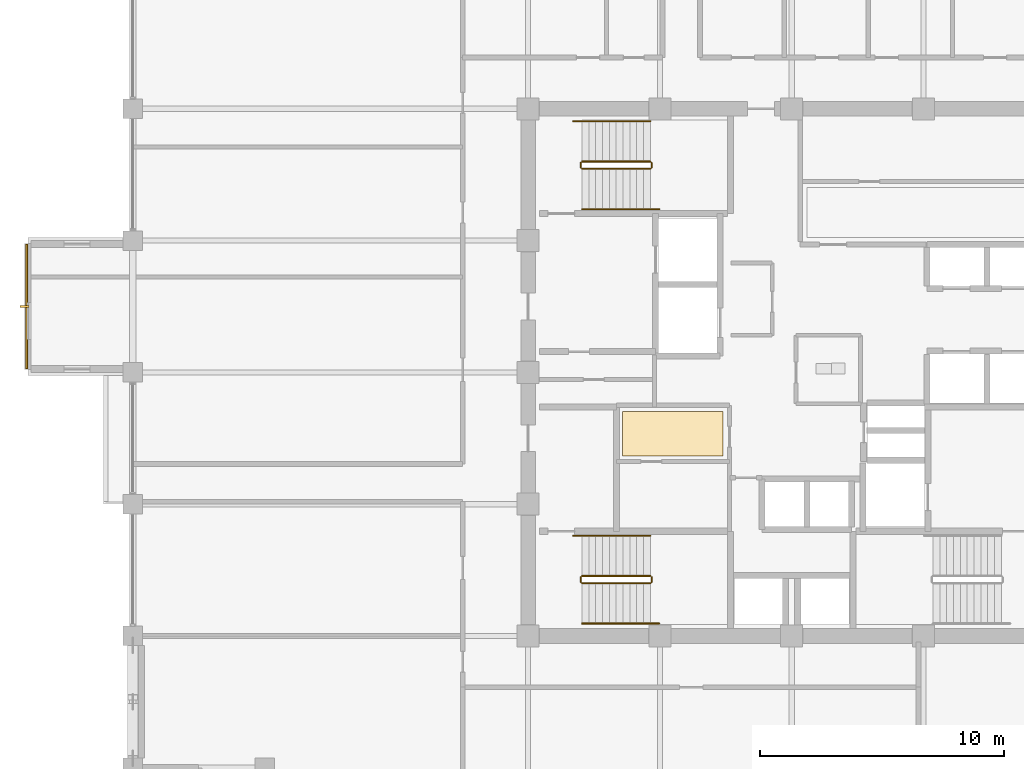
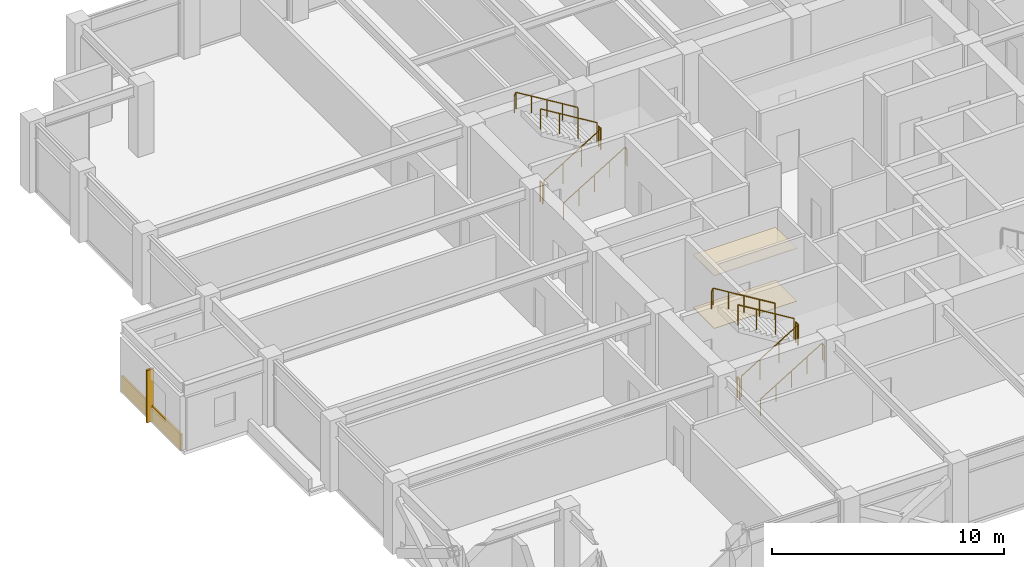
# One storey, part 26 of 28: 12 railings, 3 coverings, 1 shading device.
"""IFC4 building model written with IfcOpenShell, lengths in metres."""

from ifc_helpers import new_model, si_unit, direction, frame, origin, origin_2d, place, context, subcontext, project, spatial, polyline, rectangle, circle, outline, extrude, material, layer, layer_set, type_object, element, save


model = new_model("IFC4")

# Units and contexts
model_context = context("Model", 3, precision=1e-05, world=origin(), true_north=direction((0.0, 1.0)))
body_context = subcontext(model_context, "Body", "Model", "MODEL_VIEW")
ifc_project = project(units=[si_unit("LENGTHUNIT", "METRE"), si_unit("AREAUNIT", "SQUARE_METRE"), si_unit("VOLUMEUNIT", "CUBIC_METRE"), si_unit("PLANEANGLEUNIT", "RADIAN"), si_unit("MASSUNIT", "GRAM", prefix="KILO")], contexts=[model_context])

# Site, building, storey
site_placement = place(None, origin())
site = spatial("IfcSite", under=ifc_project, at=site_placement, CompositionType="ELEMENT")
building_placement = place(site_placement, origin())
building = spatial("IfcBuilding", under=site, at=building_placement, Name="Surkhivell Harbour Commons", CompositionType="ELEMENT")
storey_placement = place(building_placement, frame((0.0, 0.0, 238.5)))
storey = spatial("IfcBuildingStorey", under=building, at=storey_placement, Name="L62", CompositionType="ELEMENT", Elevation=238.5)

# Coverings
ifc_material_1 = material(Name="Moisture-resistant gypsum acoustic ceiling board", Category="other")
ifc_layer_1 = layer(ifc_material_1, 0.030029296875)
ifc_layer_set_1 = layer_set([ifc_layer_1], Name="Moisture-resistant gypsum acoustic ceiling board")
covering_type_1 = type_object("IfcCoveringType", Name="COV-CEIL-GYP", PredefinedType="CEILING", material=ifc_layer_set_1)
covering_1_placement = place(storey_placement, frame((0.0, 0.0, 2.77001953125)))
element("IfcCovering", 1, at=covering_1_placement, inside=storey, type_object=covering_type_1, Name="L62 Suspended Acoustic Ceiling 2", PredefinedType="CEILING", context=body_context, shape_type="SweptSolid", body=[
    extrude(outline(polyline([(-6.929931640625, -3.429931640625), (-2.820068359375, -3.429931640625), (-2.820068359375, -1.60009765625), (-6.929931640625, -1.60009765625), (-6.929931640625, -3.429931640625)])), origin(), (0.0, 0.0, 1.0), 0.030029296875),
])
ifc_material_2 = material(Name="Saffron-gold enamelled aluminium cassette panel", Category="aluminium")
ifc_layer_2 = layer(ifc_material_2, 0.070068359375)
ifc_layer_set_2 = layer_set([ifc_layer_2], Name="Saffron-gold enamelled aluminium cassette panel")
covering_type_2 = type_object("IfcCoveringType", Name="COV-CLAD-SAF", PredefinedType="CLADDING", material=ifc_layer_set_2)
covering_2_placement = place(storey_placement, frame((-31.340087890625, 2.699951171875, 0.0), z_axis=(0.0, 0.0, 1.0), x_axis=(1.0, 0.0, 0.0)))
element("IfcCovering", 2, at=covering_2_placement, inside=storey, type_object=covering_type_2, Name="L62 Coloured-Panel Box Spandrel Cassette 02", PredefinedType="CLADDING", context=body_context, shape_type="SweptSolid", body=[
    extrude(rectangle(XDim=0.080078125, YDim=5.10009765625, at=origin_2d()), origin(), (0.0, 0.0, 1.0), 0.840087890625),
])
ifc_material_3 = material(Name="Engineered acoustic oak timber flooring", Category="wood")
ifc_layer_3 = layer(ifc_material_3, 0.02001953125)
ifc_layer_set_3 = layer_set([ifc_layer_3], Name="Engineered acoustic oak timber flooring")
covering_type_3 = type_object("IfcCoveringType", Name="COV-FLR-TIM", PredefinedType="FLOORING", material=ifc_layer_set_3)
covering_3_placement = place(storey_placement, origin())
element("IfcCovering", 3, at=covering_3_placement, inside=storey, type_object=covering_type_3, Name="L62 Interior Floor Finish 2", PredefinedType="FLOORING", context=body_context, shape_type="SweptSolid", body=[
    extrude(outline(polyline([(-6.929931640625, -3.429931640625), (-2.820068359375, -3.429931640625), (-2.820068359375, -1.60009765625), (-6.929931640625, -1.60009765625), (-6.929931640625, -3.429931640625)])), origin(), (0.0, 0.0, 1.0), 0.02001953125),
])

# Railings
ifc_material_4 = material(Name="Galvanised and painted steel S355 guard rail", Category="steel")
railing_type_1 = type_object("IfcRailingType", Name="RAL-ST-GRD1100", PredefinedType="GUARDRAIL", material=ifc_material_4)
railing_1_placement = place(storey_placement, frame((-8.590087890625, 8.340087890625, 0.17041015625)))
element("IfcRailing", 4, at=railing_1_placement, inside=storey, type_object=railing_type_1, Name="L62 ST1 stair guard 1", PredefinedType="GUARDRAIL", context=body_context, shape_type="SweptSolid", body=[
    extrude(circle(Radius=0.02392578125, at=origin_2d()), frame((0.0, 0.0, 1.076171875), z_axis=(0.854169791009, 0.0, 0.51999420009), x_axis=(0.0, 1.0, 0.0)), (0.0, 0.0, 1.0), 3.278076171875),
    extrude(circle(Radius=0.02099609375, at=origin_2d()), origin(), (0.0, 0.0, 1.0), 1.052001953125),
    extrude(circle(Radius=0.02099609375, at=origin_2d()), frame((0.933349609375, 0.0, 0.568115234375)), (0.0, 0.0, 1.0), 1.052001953125),
    extrude(circle(Radius=0.02099609375, at=origin_2d()), frame((1.86669921875, 0.0, 1.136474609375)), (0.0, 0.0, 1.0), 1.052001953125),
    extrude(circle(Radius=0.02099609375, at=origin_2d()), frame((2.800048828125, 0.0, 1.70458984375)), (0.0, 0.0, 1.0), 1.052001953125),
])
railing_2_placement = place(storey_placement, frame((-5.739990234375, 8.389892578125, 1.875)))
element("IfcRailing", 5, at=railing_2_placement, inside=storey, type_object=railing_type_1, Name="L62 ST1 stair guard 2", PredefinedType="GUARDRAIL", context=body_context, shape_type="SweptSolid", body=[
    extrude(circle(Radius=0.02392578125, at=origin_2d()), frame((0.0, 0.0, 1.076171875), z_axis=(0.0, 1.0, 0.0), x_axis=(-1.0, 0.0, 0.0)), (0.0, 0.0, 1.0), 0.2001953125),
    extrude(circle(Radius=0.02099609375, at=origin_2d()), origin(), (0.0, 0.0, 1.0), 1.052001953125),
    extrude(circle(Radius=0.02099609375, at=origin_2d()), frame((0.0, 0.2001953125, 0.0)), (0.0, 0.0, 1.0), 1.052001953125),
])
railing_3_placement = place(storey_placement, frame((-5.7900390625, 8.639892578125, 2.04541015625)))
element("IfcRailing", 6, at=railing_3_placement, inside=storey, type_object=railing_type_1, Name="L62 ST1 stair guard 3", PredefinedType="GUARDRAIL", context=body_context, shape_type="SweptSolid", body=[
    extrude(circle(Radius=0.02392578125, at=origin_2d()), frame((0.0, 0.0, 1.076171875), z_axis=(-0.854169791009, 0.0, 0.51999420009), x_axis=(0.0, -1.0, 0.0)), (0.0, 0.0, 1.0), 3.278076171875),
    extrude(circle(Radius=0.02099609375, at=origin_2d()), origin(), (0.0, 0.0, 1.0), 1.052001953125),
    extrude(circle(Radius=0.02099609375, at=origin_2d()), frame((-0.933349609375, 0.0, 0.568115234375)), (0.0, 0.0, 1.0), 1.052001953125),
    extrude(circle(Radius=0.02099609375, at=origin_2d()), frame((-1.86669921875, 0.0, 1.136474609375)), (0.0, 0.0, 1.0), 1.052001953125),
    extrude(circle(Radius=0.02099609375, at=origin_2d()), frame((-2.800048828125, 0.0, 1.70458984375)), (0.0, 0.0, 1.0), 1.052001953125),
])
railing_4_placement = place(storey_placement, frame((-8.639892578125, 8.389892578125, 0.0)))
element("IfcRailing", 7, at=railing_4_placement, inside=storey, type_object=railing_type_1, Name="L62 ST1 stair guard 4", PredefinedType="GUARDRAIL", context=body_context, shape_type="SweptSolid", body=[
    extrude(circle(Radius=0.02392578125, at=origin_2d()), frame((0.0, 0.0, 1.076171875), z_axis=(0.0, 1.0, 0.0), x_axis=(-1.0, 0.0, 0.0)), (0.0, 0.0, 1.0), 0.2001953125),
    extrude(circle(Radius=0.02099609375, at=origin_2d()), origin(), (0.0, 0.0, 1.0), 1.052001953125),
    extrude(circle(Radius=0.02099609375, at=origin_2d()), frame((0.0, 0.2001953125, 0.0)), (0.0, 0.0, 1.0), 1.052001953125),
])
railing_5_placement = place(storey_placement, frame((-8.590087890625, -8.639892578125, 0.17041015625)))
element("IfcRailing", 8, at=railing_5_placement, inside=storey, type_object=railing_type_1, Name="L62 ST3 stair guard 1", PredefinedType="GUARDRAIL", context=body_context, shape_type="SweptSolid", body=[
    extrude(circle(Radius=0.02392578125, at=origin_2d()), frame((0.0, 0.0, 1.076171875), z_axis=(0.854169791009, 0.0, 0.51999420009), x_axis=(0.0, 1.0, 0.0)), (0.0, 0.0, 1.0), 3.278076171875),
    extrude(circle(Radius=0.02099609375, at=origin_2d()), origin(), (0.0, 0.0, 1.0), 1.052001953125),
    extrude(circle(Radius=0.02099609375, at=origin_2d()), frame((0.933349609375, 0.0, 0.568115234375)), (0.0, 0.0, 1.0), 1.052001953125),
    extrude(circle(Radius=0.02099609375, at=origin_2d()), frame((1.86669921875, 0.0, 1.136474609375)), (0.0, 0.0, 1.0), 1.052001953125),
    extrude(circle(Radius=0.02099609375, at=origin_2d()), frame((2.800048828125, 0.0, 1.70458984375)), (0.0, 0.0, 1.0), 1.052001953125),
])
railing_6_placement = place(storey_placement, frame((-5.739990234375, -8.590087890625, 1.875)))
element("IfcRailing", 9, at=railing_6_placement, inside=storey, type_object=railing_type_1, Name="L62 ST3 stair guard 2", PredefinedType="GUARDRAIL", context=body_context, shape_type="SweptSolid", body=[
    extrude(circle(Radius=0.02392578125, at=origin_2d()), frame((0.0, 0.0, 1.076171875), z_axis=(0.0, 1.0, 0.0), x_axis=(-1.0, 0.0, 0.0)), (0.0, 0.0, 1.0), 0.2001953125),
    extrude(circle(Radius=0.02099609375, at=origin_2d()), origin(), (0.0, 0.0, 1.0), 1.052001953125),
    extrude(circle(Radius=0.02099609375, at=origin_2d()), frame((0.0, 0.2001953125, 0.0)), (0.0, 0.0, 1.0), 1.052001953125),
])
railing_7_placement = place(storey_placement, frame((-5.7900390625, -8.340087890625, 2.04541015625)))
element("IfcRailing", 10, at=railing_7_placement, inside=storey, type_object=railing_type_1, Name="L62 ST3 stair guard 3", PredefinedType="GUARDRAIL", context=body_context, shape_type="SweptSolid", body=[
    extrude(circle(Radius=0.02392578125, at=origin_2d()), frame((0.0, 0.0, 1.076171875), z_axis=(-0.854169791009, 0.0, 0.51999420009), x_axis=(0.0, -1.0, 0.0)), (0.0, 0.0, 1.0), 3.278076171875),
    extrude(circle(Radius=0.02099609375, at=origin_2d()), origin(), (0.0, 0.0, 1.0), 1.052001953125),
    extrude(circle(Radius=0.02099609375, at=origin_2d()), frame((-0.933349609375, 0.0, 0.568115234375)), (0.0, 0.0, 1.0), 1.052001953125),
    extrude(circle(Radius=0.02099609375, at=origin_2d()), frame((-1.86669921875, 0.0, 1.136474609375)), (0.0, 0.0, 1.0), 1.052001953125),
    extrude(circle(Radius=0.02099609375, at=origin_2d()), frame((-2.800048828125, 0.0, 1.70458984375)), (0.0, 0.0, 1.0), 1.052001953125),
])
railing_8_placement = place(storey_placement, frame((-8.639892578125, -8.590087890625, 0.0)))
element("IfcRailing", 11, at=railing_8_placement, inside=storey, type_object=railing_type_1, Name="L62 ST3 stair guard 4", PredefinedType="GUARDRAIL", context=body_context, shape_type="SweptSolid", body=[
    extrude(circle(Radius=0.02392578125, at=origin_2d()), frame((0.0, 0.0, 1.076171875), z_axis=(0.0, 1.0, 0.0), x_axis=(-1.0, 0.0, 0.0)), (0.0, 0.0, 1.0), 0.2001953125),
    extrude(circle(Radius=0.02099609375, at=origin_2d()), origin(), (0.0, 0.0, 1.0), 1.052001953125),
    extrude(circle(Radius=0.02099609375, at=origin_2d()), frame((0.0, 0.2001953125, 0.0)), (0.0, 0.0, 1.0), 1.052001953125),
])
ifc_material_5 = material(Name="Brushed stainless steel S355 handrail", Category="steel")
railing_type_2 = type_object("IfcRailingType", Name="RAL-ST-HND900", PredefinedType="HANDRAIL", material=ifc_material_5)
railing_9_placement = place(storey_placement, frame((-8.590087890625, 6.68994140625, 0.17041015625)))
element("IfcRailing", 12, at=railing_9_placement, inside=storey, type_object=railing_type_2, Name="L62 ST1 stair handrail 1", PredefinedType="HANDRAIL", context=body_context, shape_type="SweptSolid", body=[
    extrude(circle(Radius=0.02392578125, at=origin_2d()), frame((0.0, 0.0, 0.8759765625), z_axis=(0.854177636135, 0.0, 0.519981313056), x_axis=(0.0, 1.0, 0.0)), (0.0, 0.0, 1.0), 3.60595703125),
    extrude(circle(Radius=0.02392578125, at=origin_2d()), frame((3.080078125, 0.0, 2.7509765625), z_axis=(0.425297416671, 0.0, -0.905053648892), x_axis=(0.0, 1.0, 0.0)), (0.0, 0.0, 1.0), 0.188232421875),
    extrude(circle(Radius=0.02099609375, at=origin_2d()), origin(), (0.0, 0.0, 1.0), 0.851806640625),
    extrude(circle(Radius=0.02099609375, at=origin_2d()), frame((0.77001953125, 0.0, 0.46875)), (0.0, 0.0, 1.0), 0.851806640625),
    extrude(circle(Radius=0.02099609375, at=origin_2d()), frame((1.5400390625, 0.0, 0.9375)), (0.0, 0.0, 1.0), 0.851806640625),
    extrude(circle(Radius=0.02099609375, at=origin_2d()), frame((2.31005859375, 0.0, 1.40625)), (0.0, 0.0, 1.0), 0.851806640625),
    extrude(circle(Radius=0.02099609375, at=origin_2d()), frame((3.080078125, 0.0, 1.875)), (0.0, 0.0, 1.0), 0.851806640625),
    extrude(circle(Radius=0.02099609375, at=origin_2d()), frame((3.16015625, 0.0, 1.70458984375)), (0.0, 0.0, 1.0), 0.851806640625),
])
railing_10_placement = place(storey_placement, frame((-5.7900390625, 10.2900390625, 2.04541015625)))
element("IfcRailing", 13, at=railing_10_placement, inside=storey, type_object=railing_type_2, Name="L62 ST1 stair handrail 2", PredefinedType="HANDRAIL", context=body_context, shape_type="SweptSolid", body=[
    extrude(circle(Radius=0.02392578125, at=origin_2d()), frame((0.0, 0.0, 0.8759765625), z_axis=(-0.854177636135, 0.0, 0.519981313056), x_axis=(0.0, -1.0, 0.0)), (0.0, 0.0, 1.0), 3.60595703125),
    extrude(circle(Radius=0.02392578125, at=origin_2d()), frame((-3.080078125, 0.0, 2.7509765625), z_axis=(-0.424234432967, 0.0, -0.905552398199), x_axis=(0.0, -1.0, 0.0)), (0.0, 0.0, 1.0), 0.188232421875),
    extrude(circle(Radius=0.02099609375, at=origin_2d()), origin(), (0.0, 0.0, 1.0), 0.851806640625),
    extrude(circle(Radius=0.02099609375, at=origin_2d()), frame((-0.77001953125, 0.0, 0.46875)), (0.0, 0.0, 1.0), 0.851806640625),
    extrude(circle(Radius=0.02099609375, at=origin_2d()), frame((-1.5400390625, 0.0, 0.9375)), (0.0, 0.0, 1.0), 0.851806640625),
    extrude(circle(Radius=0.02099609375, at=origin_2d()), frame((-2.31005859375, 0.0, 1.40625)), (0.0, 0.0, 1.0), 0.851806640625),
    extrude(circle(Radius=0.02099609375, at=origin_2d()), frame((-3.080078125, 0.0, 1.875)), (0.0, 0.0, 1.0), 0.851806640625),
    extrude(circle(Radius=0.02099609375, at=origin_2d()), frame((-3.159912109375, 0.0, 1.70458984375)), (0.0, 0.0, 1.0), 0.851806640625),
])
railing_11_placement = place(storey_placement, frame((-8.590087890625, -10.2900390625, 0.17041015625)))
element("IfcRailing", 14, at=railing_11_placement, inside=storey, type_object=railing_type_2, Name="L62 ST3 stair handrail 1", PredefinedType="HANDRAIL", context=body_context, shape_type="SweptSolid", body=[
    extrude(circle(Radius=0.02392578125, at=origin_2d()), frame((0.0, 0.0, 0.8759765625), z_axis=(0.854177636135, 0.0, 0.519981313056), x_axis=(0.0, 1.0, 0.0)), (0.0, 0.0, 1.0), 3.60595703125),
    extrude(circle(Radius=0.02392578125, at=origin_2d()), frame((3.080078125, 0.0, 2.7509765625), z_axis=(0.425297416671, 0.0, -0.905053648892), x_axis=(0.0, 1.0, 0.0)), (0.0, 0.0, 1.0), 0.188232421875),
    extrude(circle(Radius=0.02099609375, at=origin_2d()), origin(), (0.0, 0.0, 1.0), 0.851806640625),
    extrude(circle(Radius=0.02099609375, at=origin_2d()), frame((0.77001953125, 0.0, 0.46875)), (0.0, 0.0, 1.0), 0.851806640625),
    extrude(circle(Radius=0.02099609375, at=origin_2d()), frame((1.5400390625, 0.0, 0.9375)), (0.0, 0.0, 1.0), 0.851806640625),
    extrude(circle(Radius=0.02099609375, at=origin_2d()), frame((2.31005859375, 0.0, 1.40625)), (0.0, 0.0, 1.0), 0.851806640625),
    extrude(circle(Radius=0.02099609375, at=origin_2d()), frame((3.080078125, 0.0, 1.875)), (0.0, 0.0, 1.0), 0.851806640625),
    extrude(circle(Radius=0.02099609375, at=origin_2d()), frame((3.16015625, 0.0, 1.70458984375)), (0.0, 0.0, 1.0), 0.851806640625),
])
railing_12_placement = place(storey_placement, frame((-5.7900390625, -6.68994140625, 2.04541015625)))
element("IfcRailing", 15, at=railing_12_placement, inside=storey, type_object=railing_type_2, Name="L62 ST3 stair handrail 2", PredefinedType="HANDRAIL", context=body_context, shape_type="SweptSolid", body=[
    extrude(circle(Radius=0.02392578125, at=origin_2d()), frame((0.0, 0.0, 0.8759765625), z_axis=(-0.854177636135, 0.0, 0.519981313056), x_axis=(0.0, -1.0, 0.0)), (0.0, 0.0, 1.0), 3.60595703125),
    extrude(circle(Radius=0.02392578125, at=origin_2d()), frame((-3.080078125, 0.0, 2.7509765625), z_axis=(-0.424234432967, 0.0, -0.905552398199), x_axis=(0.0, -1.0, 0.0)), (0.0, 0.0, 1.0), 0.188232421875),
    extrude(circle(Radius=0.02099609375, at=origin_2d()), origin(), (0.0, 0.0, 1.0), 0.851806640625),
    extrude(circle(Radius=0.02099609375, at=origin_2d()), frame((-0.77001953125, 0.0, 0.46875)), (0.0, 0.0, 1.0), 0.851806640625),
    extrude(circle(Radius=0.02099609375, at=origin_2d()), frame((-1.5400390625, 0.0, 0.9375)), (0.0, 0.0, 1.0), 0.851806640625),
    extrude(circle(Radius=0.02099609375, at=origin_2d()), frame((-2.31005859375, 0.0, 1.40625)), (0.0, 0.0, 1.0), 0.851806640625),
    extrude(circle(Radius=0.02099609375, at=origin_2d()), frame((-3.080078125, 0.0, 1.875)), (0.0, 0.0, 1.0), 0.851806640625),
    extrude(circle(Radius=0.02099609375, at=origin_2d()), frame((-3.159912109375, 0.0, 1.70458984375)), (0.0, 0.0, 1.0), 0.851806640625),
])

# Shading device
ifc_material_6 = material(Name="Anodised pale-metal aluminium solar fin", Category="aluminium")
shading_device_type = type_object("IfcShadingDeviceType", Name="SHD-FIN-VERT", PredefinedType="USERDEFINED", material=ifc_material_6)
shading_device_placement = place(storey_placement, frame((-31.43994140625, 2.699951171875, 0.0048828125), z_axis=(0.0, 0.0, 1.0), x_axis=(1.0, 0.0, 0.0)))
element("IfcShadingDevice", 16, at=shading_device_placement, inside=storey, type_object=shading_device_type, Name="L62 Coloured-Box Solar Fin 02", ObjectType="FIN", PredefinedType="USERDEFINED", context=body_context, shape_type="SweptSolid", body=[
    extrude(rectangle(XDim=0.360107421875, YDim=0.090087890625, at=origin_2d()), origin(), (0.0, 0.0, 1.0), 2.75),
])

save(model, "model.ifc")
